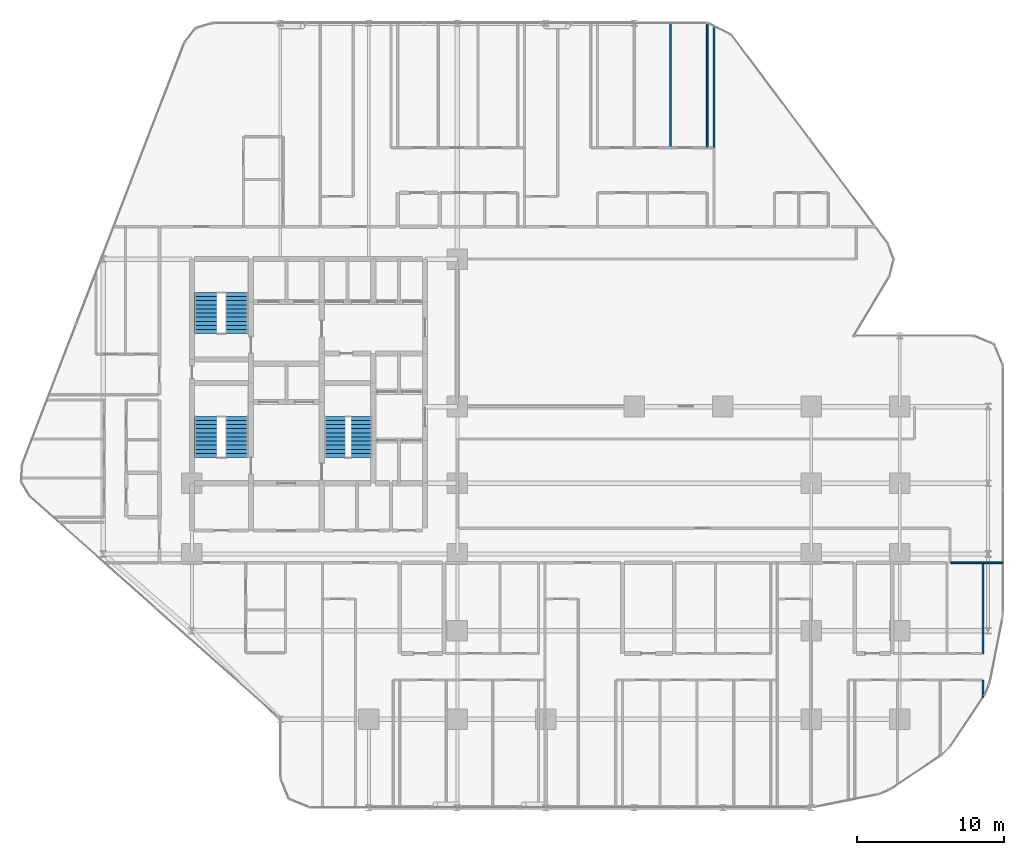
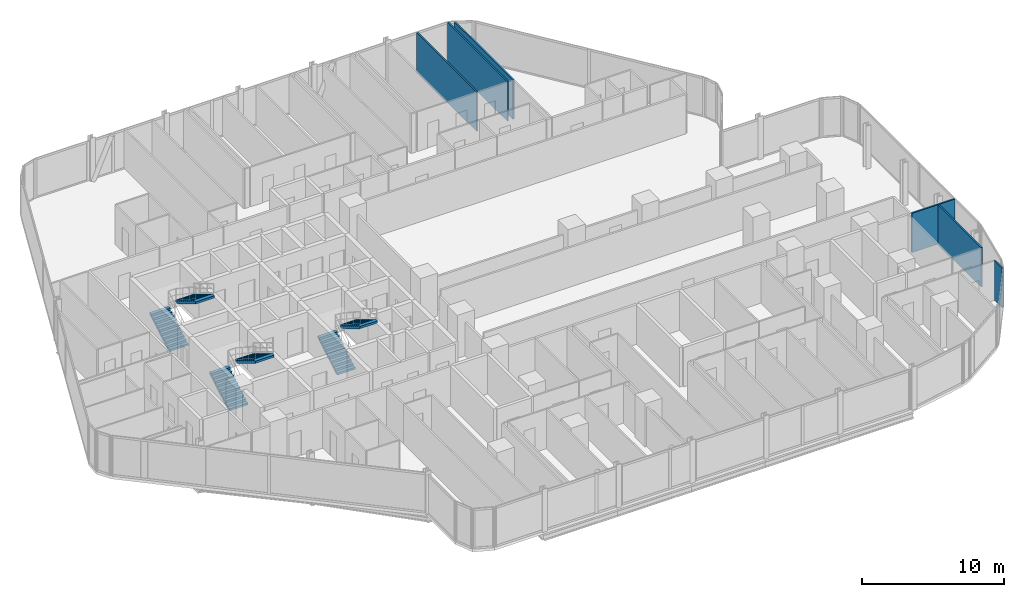
# One storey, part 32 of 33: 7 walls, 6 stair flights, 3 elements without a shape of their own.
"""IFC4 building model written with IfcOpenShell, lengths in metres."""

import ifcopenshell
import ifcopenshell.guid

model = None  # the IFC model being written
_history = None  # IfcOwnerHistory: only IFC2X3 demands one
_inside = {}  # id of a spatial element -> (the spatial element, [elements in it])
_under = {}  # id of a project, library or spatial element -> (it, [spatial elements below it])
_declared = {}  # id of a project -> (the project, [libraries it declares])
_typed = {}  # id of a type object -> (the type object, [elements of that type])
_made_of = {}  # id of a material, layer set ... -> (it, [elements and type objects made of it])


def new_model(schema):
    """Start an empty IFC model of exactly this schema.

    Asked for "IFC4X3", IfcOpenShell would pick the latest addendum, in which some entities
    have other attributes; the version numbers below select the first issue.
    IFC2X3 requires an IfcOwnerHistory on every rooted entity: one is made here for all.
    """
    global model, _history
    if schema == "IFC4X3":
        model = ifcopenshell.file(schema_version=(4, 3, 0, 0))
    else:
        model = ifcopenshell.file(schema=schema)
    _inside.clear()
    _under.clear()
    _declared.clear()
    _typed.clear()
    _made_of.clear()
    _history = None
    if model.schema == "IFC2X3":
        org = make("IfcOrganization", Name="unknown")
        user = make(
            "IfcPersonAndOrganization",
            ThePerson=make("IfcPerson", FamilyName="unknown"),
            TheOrganization=org,
        )
        app = make(
            "IfcApplication",
            ApplicationDeveloper=org,
            Version="unknown",
            ApplicationFullName="unknown",
            ApplicationIdentifier="unknown",
        )
        _history = make(
            "IfcOwnerHistory",
            OwningUser=user,
            OwningApplication=app,
            ChangeAction="ADDED",
            CreationDate=0,
        )
    return model


def make(cls, **values):
    """One entity of the class cls with the attributes given. An attribute that is None is left unset."""
    return model.create_entity(
        cls, **{name: value for name, value in values.items() if value is not None}
    )


def rooted(cls, **values):
    """An entity with a GlobalId (a new one), such as an element, a storey or a relation."""
    return make(cls, GlobalId=ifcopenshell.guid.new(), OwnerHistory=_history, **values)


def si_unit(unit_type, name, prefix=None):
    """IfcSIUnit, for example si_unit("LENGTHUNIT", "METRE", prefix="MILLI")."""
    return make("IfcSIUnit", UnitType=unit_type, Prefix=prefix, Name=name)


def assignment(units):
    """IfcUnitAssignment: the units of a project."""
    return None if units is None else make("IfcUnitAssignment", Units=units)


def point(xyz):
    """IfcCartesianPoint."""
    return None if xyz is None else make("IfcCartesianPoint", Coordinates=xyz)


def direction(xyz):
    """IfcDirection."""
    return None if xyz is None else make("IfcDirection", DirectionRatios=xyz)


def frame(location, z_axis=None, x_axis=None):
    """IfcAxis2Placement3D, a coordinate frame: its origin and axes. An axis left out is left unset."""
    return make(
        "IfcAxis2Placement3D",
        Location=point(location),
        Axis=direction(z_axis),
        RefDirection=direction(x_axis),
    )


def frame_2d(location, x_axis=None):
    """IfcAxis2Placement2D, a coordinate frame in the plane: its origin and x axis."""
    return make(
        "IfcAxis2Placement2D", Location=point(location), RefDirection=direction(x_axis)
    )


def origin():
    """The frame at (0, 0, 0) with its axes left unset."""
    return frame((0.0, 0.0, 0.0))


def place(relative_to, where):
    """IfcLocalPlacement: puts the frame where relative to a parent placement (None: the world)."""
    return make(
        "IfcLocalPlacement", PlacementRelTo=relative_to, RelativePlacement=where
    )


def context(
    kind, dimensions, precision=None, world=None, true_north=None, identifier=None
):
    """IfcGeometricRepresentationContext, for example the 3D "Model" context."""
    return make(
        "IfcGeometricRepresentationContext",
        ContextIdentifier=identifier,
        ContextType=kind,
        CoordinateSpaceDimension=dimensions,
        Precision=precision,
        WorldCoordinateSystem=world,
        TrueNorth=true_north,
    )


def subcontext(parent, identifier, kind, view, scale=None):
    """IfcGeometricRepresentationSubContext, for example "Body" below "Model"."""
    return make(
        "IfcGeometricRepresentationSubContext",
        ContextIdentifier=identifier,
        ContextType=kind,
        ParentContext=parent,
        TargetScale=scale,
        TargetView=view,
    )


def project(units=None, contexts=None):
    """IfcProject with its units and contexts."""
    return rooted(
        "IfcProject",
        Name="project",
        RepresentationContexts=contexts,
        UnitsInContext=assignment(units),
    )


def spatial(cls, under=None, at=None, **own):
    """A site, building, storey or space (cls), placed at a placement, below another one or the project."""
    s = rooted(cls, ObjectPlacement=at, **own)
    if under is not None:
        _under.setdefault(under.id(), (under, []))[1].append(s)
    return s


def polyline(points):
    """IfcPolyline through the points."""
    return make("IfcPolyline", Points=[point(p) for p in points])


def profile(cls, at=None, kind="AREA", **sizes):
    """A parametric profile (cls). Its sizes go by their IFC names, for example OverallWidth=200.0."""
    return make(cls, ProfileType=kind, Position=at, **sizes)


def rectangle(**sizes):
    """IfcRectangleProfileDef."""
    return profile("IfcRectangleProfileDef", **sizes)


def outline(outer, holes=None, kind="AREA"):
    """IfcArbitraryClosedProfileDef: a profile drawn as a closed curve; with holes, ...WithVoids."""
    if holes is None:
        return make("IfcArbitraryClosedProfileDef", ProfileType=kind, OuterCurve=outer)
    return make(
        "IfcArbitraryProfileDefWithVoids",
        ProfileType=kind,
        OuterCurve=outer,
        InnerCurves=holes,
    )


def extrude(swept, where, along, depth):
    """IfcExtrudedAreaSolid: the profile swept, set in the frame where, extruded along a direction by depth."""
    return make(
        "IfcExtrudedAreaSolid",
        SweptArea=swept,
        Position=where,
        ExtrudedDirection=direction(along),
        Depth=depth,
    )


def shape(context_of_items, identifier, shape_type, items):
    """IfcShapeRepresentation: the items that make up one representation, for example the "Body"."""
    return make(
        "IfcShapeRepresentation",
        ContextOfItems=context_of_items,
        RepresentationIdentifier=identifier,
        RepresentationType=shape_type,
        Items=items,
    )


def material(Name=None, Category=None):
    """IfcMaterial."""
    return make("IfcMaterial", Name=Name, Category=Category)


def layer(
    of_material, thickness, ventilated=None, Name=None, Category=None, Priority=None
):
    """IfcMaterialLayer: one layer of a wall or slab, of a material (None: an air gap)."""
    return make(
        "IfcMaterialLayer",
        Material=of_material,
        LayerThickness=thickness,
        IsVentilated=ventilated,
        Name=Name,
        Category=Category,
        Priority=Priority,
    )


def layer_set(layers, Name=None):
    """IfcMaterialLayerSet."""
    return make("IfcMaterialLayerSet", MaterialLayers=layers, LayerSetName=Name)


def made_of(thing, what):
    """Note that an element or type object is made of a material, layer set ...; save() writes the relation."""
    if what is not None:
        _made_of.setdefault(what.id(), (what, []))[1].append(thing)
    return thing


def type_object(cls, material=None, **own):
    """A type object (cls), such as IfcWallType, which elements share."""
    return made_of(rooted(cls, **own), material)


def element(
    cls,
    number,
    at=None,
    inside=None,
    cuts=None,
    type_object=None,
    material=None,
    context=None,
    identifier="Body",
    shape_type=None,
    held_by="IfcProductDefinitionShape",
    body=None,
    shapes=None,
    **own,
):
    """One element of the class cls, such as IfcWall. Its Tag is "e" and its number.

    at: its placement. inside: the storey or other place that contains it. cuts: it is an
    opening in that element (IfcRelVoidsElement). A single representation is given by context,
    identifier, shape_type and body (its items); several are given by shapes. held_by: the class
    of the entity that holds the representations. save() writes the other relations.
    """
    e = rooted(cls, Tag="e%d" % number, ObjectPlacement=at, **own)
    if body is not None:
        shapes = [shape(context, identifier, shape_type, body)]
    if shapes is not None:
        e.Representation = make(held_by, Representations=shapes)
    if inside is not None:
        _inside.setdefault(inside.id(), (inside, []))[1].append(e)
    if cuts is not None:
        rooted(
            "IfcRelVoidsElement", RelatingBuildingElement=cuts, RelatedOpeningElement=e
        )
    if type_object is not None:
        _typed.setdefault(type_object.id(), (type_object, []))[1].append(e)
    return made_of(e, material)


def aggregate(whole, parts):
    """IfcRelAggregates: a whole, such as a stair, and the parts it consists of."""
    return rooted("IfcRelAggregates", RelatingObject=whole, RelatedObjects=parts)


def save(model, path):
    """Write the relations noted so far, then the file.

    IfcRelAggregates (storeys below a building ...), IfcRelContainedInSpatialStructure (elements
    in a storey), IfcRelDefinesByType, IfcRelAssociatesMaterial and IfcRelDeclares: one each for
    every whole, place, type object, material and project.
    """
    for whole, parts in _under.values():
        aggregate(whole, parts)
    for where, things in _inside.values():
        rooted(
            "IfcRelContainedInSpatialStructure",
            RelatedElements=things,
            RelatingStructure=where,
        )
    for kind, things in _typed.values():
        rooted("IfcRelDefinesByType", RelatedObjects=things, RelatingType=kind)
    for what, things in _made_of.values():
        rooted("IfcRelAssociatesMaterial", RelatedObjects=things, RelatingMaterial=what)
    for by, libraries in _declared.values():
        rooted("IfcRelDeclares", RelatingContext=by, RelatedDefinitions=libraries)
    model.write(path)


model = new_model("IFC4")

# Units and contexts
model_context = context("Model", 3, precision=1e-05, world=origin(), true_north=direction((0.0, 1.0)))
body_context = subcontext(model_context, "Body", "Model", "MODEL_VIEW")
ifc_project = project(units=[si_unit("LENGTHUNIT", "METRE"), si_unit("AREAUNIT", "SQUARE_METRE"), si_unit("VOLUMEUNIT", "CUBIC_METRE"), si_unit("PLANEANGLEUNIT", "RADIAN"), si_unit("MASSUNIT", "GRAM", prefix="KILO")], contexts=[model_context])

# Site, building, storey
site_placement = place(None, origin())
site = spatial("IfcSite", under=ifc_project, at=site_placement, CompositionType="ELEMENT")
building_placement = place(site_placement, origin())
building = spatial("IfcBuilding", under=site, at=building_placement, Name="Keshet Zoharim Tower", CompositionType="ELEMENT")
storey_placement = place(building_placement, frame((0.0, 0.0, 27.699951171875)))
storey = spatial("IfcBuildingStorey", under=building, at=storey_placement, Name="L05", CompositionType="ELEMENT", Elevation=27.699951171875)

# Walls
ifc_material_1 = material(Name="Gypsum Plasterboard", Category="gypsum")
ifc_layer_1 = layer(ifc_material_1, 0.1201171875)
ifc_layer_set_1 = layer_set([ifc_layer_1], Name="Gypsum Plasterboard")
wall_type_1 = type_object("IfcWallType", Name="WL-PART-120", PredefinedType="PARTITIONING", material=ifc_layer_set_1)
for number, where, z_axis, x_axis, name in (
    (1, (47.449951171875, 45.449951171875, 0.0), (0.0, 0.0, 1.0), (0.0, 1.0, 0.0), "L05 Interior Wall 099"),
    (2, (49.949951171875, 45.449951171875, 0.0), (0.0, 0.0, 1.0), (0.0, 1.0, 0.0), "L05 Interior Wall 103"),
):
    element("IfcWall", number, at=place(storey_placement, frame(where, z_axis=z_axis, x_axis=x_axis)), inside=storey, type_object=wall_type_1, Name=name, PredefinedType="PARTITIONING", context=body_context, shape_type="SweptSolid", body=[
        extrude(rectangle(XDim=8.43994140625, YDim=0.1201171875, at=frame_2d((4.219970703125, 0.0))), origin(), (0.0, 0.0, 1.0), 3.385009765625),
    ])
wall_1_placement = place(storey_placement, frame((50.39990234375, 45.449951171875, 0.0), z_axis=(0.0, 0.0, 1.0), x_axis=(0.0, 1.0, 0.0)))
element("IfcWall", 3, at=wall_1_placement, inside=storey, type_object=wall_type_1, Name="L05 Interior Wall 105", PredefinedType="PARTITIONING", context=body_context, shape_type="SweptSolid", body=[
    extrude(rectangle(XDim=8.239990234375, YDim=0.1201171875, at=frame_2d((4.1201171875, 0.0))), origin(), (0.0, 0.0, 1.0), 3.385009765625),
])
wall_2_placement = place(storey_placement, frame((68.64990234375, 8.196044921875, 0.0), z_axis=(0.0, 0.0, 1.0), x_axis=(0.0, 1.0, 0.0)))
element("IfcWall", 4, at=wall_2_placement, inside=storey, type_object=wall_type_1, Name="L05 Interior Wall 127", PredefinedType="PARTITIONING", context=body_context, shape_type="SweptSolid", body=[
    extrude(rectangle(XDim=1.154052734375, YDim=0.1201171875, at=frame_2d((0.5771484375, 0.0))), origin(), (0.0, 0.0, 1.0), 3.385009765625),
])
wall_3_placement = place(storey_placement, frame((68.676025390625, 17.300048828125, 0.0), z_axis=(0.0, 0.0, 1.0), x_axis=(1.0, 0.0, 0.0)))
element("IfcWall", 5, at=wall_3_placement, inside=storey, type_object=wall_type_1, Name="L05 Interior Wall 167", PredefinedType="PARTITIONING", context=body_context, shape_type="SweptSolid", body=[
    extrude(rectangle(XDim=1.31396484375, YDim=0.1201171875, at=frame_2d((0.656982421875, 0.0))), origin(), (0.0, 0.0, 1.0), 3.385009765625),
])
ifc_layer_2 = layer(ifc_material_1, 0.1201171875)
ifc_layer_set_2 = layer_set([ifc_layer_2], Name="Gypsum Plasterboard")
wall_type_2 = type_object("IfcWallType", Name="WL-WET-120", PredefinedType="PARTITIONING", material=ifc_layer_set_2)
wall_4_placement = place(storey_placement, frame((68.64990234375, 11.14990234375, 0.0), z_axis=(0.0, 0.0, 1.0), x_axis=(0.0, 1.0, 0.0)))
element("IfcWall", 6, at=wall_4_placement, inside=storey, type_object=wall_type_2, Name="L05 Interior Wall 128", PredefinedType="PARTITIONING", context=body_context, shape_type="SweptSolid", body=[
    extrude(rectangle(XDim=6.150146484375, YDim=0.1201171875, at=frame_2d((3.0751953125, 0.0))), origin(), (0.0, 0.0, 1.0), 3.385009765625),
])
wall_5_placement = place(storey_placement, frame((66.469970703125, 17.300048828125, 0.0), z_axis=(0.0, 0.0, 1.0), x_axis=(1.0, 0.0, 0.0)))
element("IfcWall", 7, at=wall_5_placement, inside=storey, type_object=wall_type_2, Name="L05 Interior Wall 166", PredefinedType="PARTITIONING", context=body_context, shape_type="SweptSolid", body=[
    extrude(rectangle(XDim=2.115966796875, YDim=0.1201171875, at=frame_2d((1.05810546875, 0.0))), origin(), (0.0, 0.0, 1.0), 3.385009765625),
])

# Stair, stair flights
ifc_material_2 = material(Name="Concrete C50/60", Category="concrete")
stair_type = type_object("IfcStairType", Name="STR-EXIT-135", PredefinedType="HALF_TURN_STAIR", material=ifc_material_2)
stair_1_placement = place(storey_placement, origin())
stair_1 = element("IfcStair", 8, at=stair_1_placement, inside=storey, type_object=stair_type, Name="L05 Enclosed Exit Stair ST-01", PredefinedType="HALF_TURN_STAIR")
stair_flight_type_1 = type_object("IfcStairFlightType", Name="FLT-PRE-135", PredefinedType="STRAIGHT", material=ifc_material_2)
stair_flight_1_placement = place(storey_placement, frame((15.945068359375, 24.43994140625, 0.0), z_axis=(0.0, 0.0, 1.0), x_axis=(0.0, 1.0, 0.0)))
stair_flight_1 = element("IfcStairFlight", 9, at=stair_flight_1_placement, type_object=stair_flight_type_1, Name="ST-01 flight 1", NumberOfRisers=11, NumberOfTreads=10, PredefinedType="STRAIGHT", RiserHeight=0.168182, TreadLength=0.28, context=body_context, shape_type="SweptSolid", body=[
    extrude(outline(polyline([(0.0, 0.0), (0.0, 0.168212890625), (0.280029296875, 0.168212890625), (0.280029296875, 0.33642578125), (0.56005859375, 0.33642578125), (0.56005859375, 0.504638671875), (0.840087890625, 0.504638671875), (0.840087890625, 0.672607421875), (1.1201171875, 0.672607421875), (1.1201171875, 0.8408203125), (1.39990234375, 0.8408203125), (1.39990234375, 1.009033203125), (1.679931640625, 1.009033203125), (1.679931640625, 1.17724609375), (1.9599609375, 1.17724609375), (1.9599609375, 1.345458984375), (2.239990234375, 1.345458984375), (2.239990234375, 1.513671875), (2.52001953125, 1.513671875), (2.52001953125, 1.681884765625), (2.800048828125, 1.681884765625), (2.800048828125, 1.85009765625), (2.800048828125, 1.495361328125), (0.310546875, 0.0), (0.0, 0.0)])), frame((0.0, 0.76513671875, 0.0), z_axis=(0.0, -1.0, 0.0), x_axis=(1.0, 0.0, 0.0)), (0.0, 0.0, 1.0), 1.530029296875),
])
stair_flight_2_placement = place(storey_placement, frame((18.054931640625, 27.239990234375, 1.85009765625), z_axis=(0.0, 0.0, 1.0), x_axis=(0.0, -1.0, 0.0)))
stair_flight_2 = element("IfcStairFlight", 10, at=stair_flight_2_placement, type_object=stair_flight_type_1, Name="ST-01 flight 2", NumberOfRisers=11, NumberOfTreads=10, PredefinedType="STRAIGHT", RiserHeight=0.168182, TreadLength=0.28, context=body_context, shape_type="SweptSolid", body=[
    extrude(outline(polyline([(0.0, 0.0), (0.0, 0.168212890625), (0.280029296875, 0.168212890625), (0.280029296875, 0.33642578125), (0.56005859375, 0.33642578125), (0.56005859375, 0.504638671875), (0.840087890625, 0.504638671875), (0.840087890625, 0.672607421875), (1.1201171875, 0.672607421875), (1.1201171875, 0.8408203125), (1.39990234375, 0.8408203125), (1.39990234375, 1.009033203125), (1.679931640625, 1.009033203125), (1.679931640625, 1.17724609375), (1.9599609375, 1.17724609375), (1.9599609375, 1.345458984375), (2.239990234375, 1.345458984375), (2.239990234375, 1.513671875), (2.52001953125, 1.513671875), (2.52001953125, 1.681884765625), (2.800048828125, 1.681884765625), (2.800048828125, 1.85009765625), (2.800048828125, 1.495361328125), (0.310546875, 0.0), (0.0, 0.0)])), frame((0.0, 0.76513671875, 0.0), z_axis=(0.0, -1.0, 0.0), x_axis=(1.0, 0.0, 0.0)), (0.0, 0.0, 1.0), 1.530029296875),
])
aggregate(stair_1, [stair_flight_1, stair_flight_2])

stair_2_placement = place(storey_placement, origin())
stair_2 = element("IfcStair", 11, at=stair_2_placement, inside=storey, type_object=stair_type, Name="L05 Enclosed Exit Stair ST-02", PredefinedType="HALF_TURN_STAIR")
stair_flight_3_placement = place(storey_placement, frame((15.945068359375, 32.840087890625, 0.0), z_axis=(0.0, 0.0, 1.0), x_axis=(0.0, 1.0, 0.0)))
stair_flight_3 = element("IfcStairFlight", 12, at=stair_flight_3_placement, type_object=stair_flight_type_1, Name="ST-02 flight 1", NumberOfRisers=11, NumberOfTreads=10, PredefinedType="STRAIGHT", RiserHeight=0.168182, TreadLength=0.28, context=body_context, shape_type="SweptSolid", body=[
    extrude(outline(polyline([(0.0, 0.0), (0.0, 0.168212890625), (0.280029296875, 0.168212890625), (0.280029296875, 0.33642578125), (0.56005859375, 0.33642578125), (0.56005859375, 0.504638671875), (0.840087890625, 0.504638671875), (0.840087890625, 0.672607421875), (1.1201171875, 0.672607421875), (1.1201171875, 0.8408203125), (1.39990234375, 0.8408203125), (1.39990234375, 1.009033203125), (1.679931640625, 1.009033203125), (1.679931640625, 1.17724609375), (1.9599609375, 1.17724609375), (1.9599609375, 1.345458984375), (2.239990234375, 1.345458984375), (2.239990234375, 1.513671875), (2.52001953125, 1.513671875), (2.52001953125, 1.681884765625), (2.800048828125, 1.681884765625), (2.800048828125, 1.85009765625), (2.800048828125, 1.495361328125), (0.310546875, 0.0), (0.0, 0.0)])), frame((0.0, 0.76513671875, 0.0), z_axis=(0.0, -1.0, 0.0), x_axis=(1.0, 0.0, 0.0)), (0.0, 0.0, 1.0), 1.530029296875),
])
stair_flight_4_placement = place(storey_placement, frame((18.054931640625, 35.639892578125, 1.85009765625), z_axis=(0.0, 0.0, 1.0), x_axis=(0.0, -1.0, 0.0)))
stair_flight_4 = element("IfcStairFlight", 13, at=stair_flight_4_placement, type_object=stair_flight_type_1, Name="ST-02 flight 2", NumberOfRisers=11, NumberOfTreads=10, PredefinedType="STRAIGHT", RiserHeight=0.168182, TreadLength=0.28, context=body_context, shape_type="SweptSolid", body=[
    extrude(outline(polyline([(0.0, 0.0), (0.0, 0.168212890625), (0.280029296875, 0.168212890625), (0.280029296875, 0.33642578125), (0.56005859375, 0.33642578125), (0.56005859375, 0.504638671875), (0.840087890625, 0.504638671875), (0.840087890625, 0.672607421875), (1.1201171875, 0.672607421875), (1.1201171875, 0.8408203125), (1.39990234375, 0.8408203125), (1.39990234375, 1.009033203125), (1.679931640625, 1.009033203125), (1.679931640625, 1.17724609375), (1.9599609375, 1.17724609375), (1.9599609375, 1.345458984375), (2.239990234375, 1.345458984375), (2.239990234375, 1.513671875), (2.52001953125, 1.513671875), (2.52001953125, 1.681884765625), (2.800048828125, 1.681884765625), (2.800048828125, 1.85009765625), (2.800048828125, 1.495361328125), (0.310546875, 0.0), (0.0, 0.0)])), frame((0.0, 0.76513671875, 0.0), z_axis=(0.0, -1.0, 0.0), x_axis=(1.0, 0.0, 0.0)), (0.0, 0.0, 1.0), 1.530029296875),
])
aggregate(stair_2, [stair_flight_3, stair_flight_4])

stair_3_placement = place(storey_placement, origin())
stair_3 = element("IfcStair", 14, at=stair_3_placement, inside=storey, type_object=stair_type, Name="L05 Enclosed Exit Stair ST-03", PredefinedType="HALF_TURN_STAIR")
stair_flight_type_2 = type_object("IfcStairFlightType", Name="FLT-PRE-144", PredefinedType="STRAIGHT", material=ifc_material_2)
stair_flight_5_placement = place(storey_placement, frame((24.699951171875, 24.43994140625, 0.0), z_axis=(0.0, 0.0, 1.0), x_axis=(0.0, 1.0, 0.0)))
stair_flight_5 = element("IfcStairFlight", 15, at=stair_flight_5_placement, type_object=stair_flight_type_2, Name="ST-03 flight 1", NumberOfRisers=11, NumberOfTreads=10, PredefinedType="STRAIGHT", RiserHeight=0.168182, TreadLength=0.28, context=body_context, shape_type="SweptSolid", body=[
    extrude(outline(polyline([(0.0, 0.0), (0.0, 0.168212890625), (0.280029296875, 0.168212890625), (0.280029296875, 0.33642578125), (0.56005859375, 0.33642578125), (0.56005859375, 0.504638671875), (0.840087890625, 0.504638671875), (0.840087890625, 0.672607421875), (1.1201171875, 0.672607421875), (1.1201171875, 0.8408203125), (1.39990234375, 0.8408203125), (1.39990234375, 1.009033203125), (1.679931640625, 1.009033203125), (1.679931640625, 1.17724609375), (1.9599609375, 1.17724609375), (1.9599609375, 1.345458984375), (2.239990234375, 1.345458984375), (2.239990234375, 1.513671875), (2.52001953125, 1.513671875), (2.52001953125, 1.681884765625), (2.800048828125, 1.681884765625), (2.800048828125, 1.85009765625), (2.800048828125, 1.495361328125), (0.310546875, 0.0), (0.0, 0.0)])), frame((0.0, 0.719970703125, 0.0), z_axis=(0.0, -1.0, 0.0), x_axis=(1.0, 0.0, 0.0)), (0.0, 0.0, 1.0), 1.43994140625),
])
stair_flight_6_placement = place(storey_placement, frame((26.5, 27.239990234375, 1.85009765625), z_axis=(0.0, 0.0, 1.0), x_axis=(0.0, -1.0, 0.0)))
stair_flight_6 = element("IfcStairFlight", 16, at=stair_flight_6_placement, type_object=stair_flight_type_2, Name="ST-03 flight 2", NumberOfRisers=11, NumberOfTreads=10, PredefinedType="STRAIGHT", RiserHeight=0.168182, TreadLength=0.28, context=body_context, shape_type="SweptSolid", body=[
    extrude(outline(polyline([(0.0, 0.0), (0.0, 0.168212890625), (0.280029296875, 0.168212890625), (0.280029296875, 0.33642578125), (0.56005859375, 0.33642578125), (0.56005859375, 0.504638671875), (0.840087890625, 0.504638671875), (0.840087890625, 0.672607421875), (1.1201171875, 0.672607421875), (1.1201171875, 0.8408203125), (1.39990234375, 0.8408203125), (1.39990234375, 1.009033203125), (1.679931640625, 1.009033203125), (1.679931640625, 1.17724609375), (1.9599609375, 1.17724609375), (1.9599609375, 1.345458984375), (2.239990234375, 1.345458984375), (2.239990234375, 1.513671875), (2.52001953125, 1.513671875), (2.52001953125, 1.681884765625), (2.800048828125, 1.681884765625), (2.800048828125, 1.85009765625), (2.800048828125, 1.495361328125), (0.310546875, 0.0), (0.0, 0.0)])), frame((0.0, 0.719970703125, 0.0), z_axis=(0.0, -1.0, 0.0), x_axis=(1.0, 0.0, 0.0)), (0.0, 0.0, 1.0), 1.43994140625),
])
aggregate(stair_3, [stair_flight_5, stair_flight_6])

save(model, "model.ifc")
